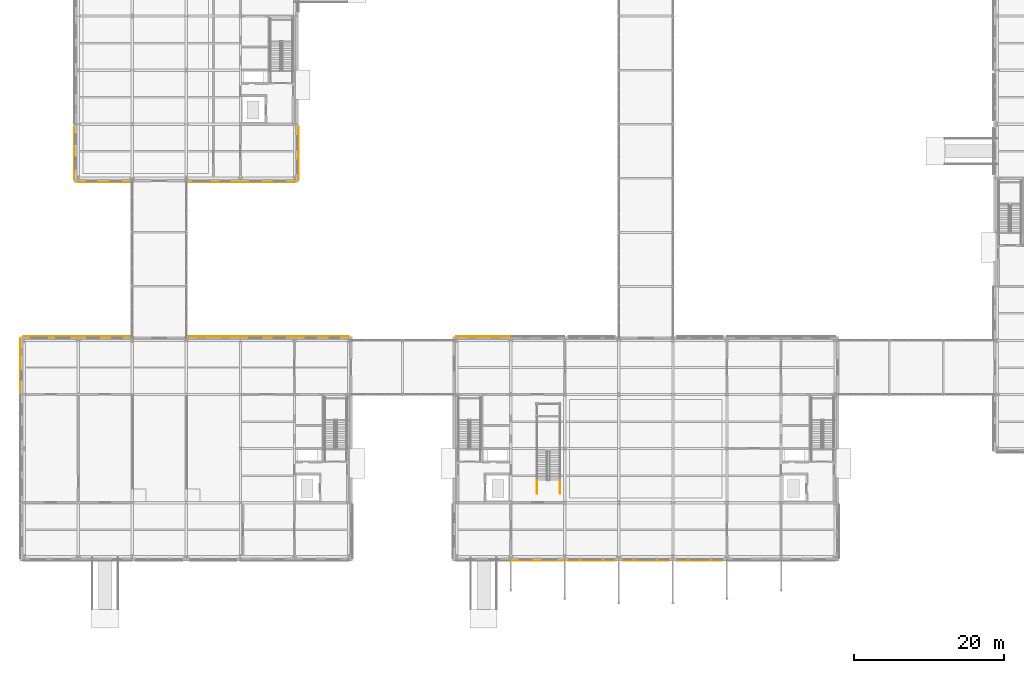
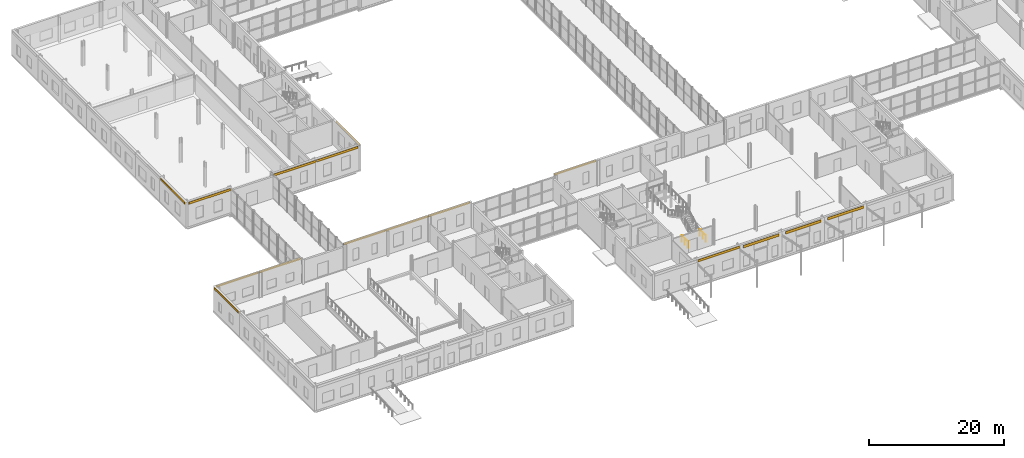
# One storey, part 76 of 92: 16 coverings, 2 railings.
"""IFC4 building model written with IfcOpenShell, lengths in metres."""

from ifc_helpers import new_model, si_unit, direction, frame, origin, origin_2d, place, context, subcontext, project, spatial, rectangle, circle, extrude, material, layer, layer_set, type_object, element, save


model = new_model("IFC4")

# Units and contexts
model_context = context("Model", 3, precision=1e-05, world=origin(), true_north=direction((0.0, 1.0)))
body_context = subcontext(model_context, "Body", "Model", "MODEL_VIEW")
ifc_project = project(units=[si_unit("LENGTHUNIT", "METRE"), si_unit("AREAUNIT", "SQUARE_METRE"), si_unit("VOLUMEUNIT", "CUBIC_METRE"), si_unit("PLANEANGLEUNIT", "RADIAN"), si_unit("MASSUNIT", "GRAM", prefix="KILO")], contexts=[model_context])

# Site, building, storey
site_placement = place(None, origin())
site = spatial("IfcSite", under=ifc_project, at=site_placement, CompositionType="ELEMENT")
building_placement = place(site_placement, origin())
building = spatial("IfcBuilding", under=site, at=building_placement, Name="Zlatovets Crest Museum", CompositionType="ELEMENT")
storey_placement = place(building_placement, origin())
storey = spatial("IfcBuildingStorey", under=building, at=storey_placement, Name="L00", CompositionType="ELEMENT", Elevation=0.0)

# Railings
ifc_material_1 = material(Name="Art Nouveau bronze and laminated glass atrium balustrade", Category="glass")
railing_type = type_object("IfcRailingType", Name="AtriumGuard_AG01", PredefinedType="BALUSTRADE", material=ifc_material_1)
for number, where, name in (
    (1, (71.35009765625, 8.39990234375, 0.0), "L00 ST6 stair guard 8"),
    (2, (68.300048828125, 8.39990234375, 0.0), "L00 ST6 stair guard 9"),
):
    element("IfcRailing", number, at=place(storey_placement, frame(where)), inside=storey, type_object=railing_type, Name=name, PredefinedType="BALUSTRADE", context=body_context, shape_type="SweptSolid", body=[
        extrude(circle(Radius=0.02392578125, at=origin_2d()), frame((0.0, 0.0, 1.076171875), z_axis=(0.0, 1.0, 0.0), x_axis=(-1.0, 0.0, 0.0)), (0.0, 0.0, 1.0), 1.800048828125),
        extrude(circle(Radius=0.02099609375, at=origin_2d()), origin(), (0.0, 0.0, 1.0), 1.052001953125),
        extrude(circle(Radius=0.02099609375, at=origin_2d()), frame((0.0, 0.89990234375, 0.0)), (0.0, 0.0, 1.0), 1.052001953125),
        extrude(circle(Radius=0.02099609375, at=origin_2d()), frame((0.0, 1.800048828125, 0.0)), (0.0, 0.0, 1.0), 1.052001953125),
    ])

# Coverings
ifc_material_2 = material(Name="Polychrome turquoise-gold glazed majolica ceramic frieze")
ifc_layer = layer(ifc_material_2, 0.0400390625)
ifc_layer_set = layer_set([ifc_layer], Name="Polychrome turquoise-gold glazed majolica ceramic frieze")
covering_type = type_object("IfcCoveringType", Name="MajolicaFrieze_CL01", PredefinedType="CLADDING", material=ifc_layer_set)
covering_placement = place(storey_placement, frame((68.39990234375, -0.530029296875, 4.010009765625), z_axis=(0.0, 0.0, 1.0), x_axis=(1.0, 0.0, 0.0)))
element("IfcCovering", 3, at=covering_placement, inside=storey, type_object=covering_type, Name="Sofia Secession Majolica Plinth Frieze", PredefinedType="CLADDING", context=body_context, shape_type="SweptSolid", body=[
    extrude(rectangle(XDim=7.10009765625, YDim=0.0400390625, at=origin_2d()), origin(), (0.0, 0.0, 1.0), 0.419921875),
])
for number, where, z_axis, x_axis, name in (
    (4, (75.60009765625, -0.52001953125, 3.81005859375), (0.0, 0.0, 1.0), (1.0, 0.0, 0.0), "Art Nouveau Portal Secession Archivolt Crown"),
    (5, (82.800048828125, -0.52001953125, 3.81005859375), (0.0, 0.0, 1.0), (1.0, 0.0, 0.0), "Art Nouveau Portal Secession Archivolt Crown"),
    (6, (90.0, -0.52001953125, 3.81005859375), (0.0, 0.0, 1.0), (1.0, 0.0, 0.0), "Art Nouveau Portal Secession Archivolt Crown"),
):
    element("IfcCovering", number, at=place(storey_placement, frame(where, z_axis=z_axis, x_axis=x_axis)), inside=storey, type_object=covering_type, Name=name, PredefinedType="CLADDING", context=body_context, shape_type="SweptSolid", body=[
        extrude(rectangle(XDim=6.10009765625, YDim=0.06005859375, at=origin_2d()), origin(), (0.0, 0.0, 1.0), 0.47998046875),
    ])
for number, where, z_axis, x_axis, name in (
    (7, (61.117431640625, 29.330078125, 4.010009765625), (0.0, 0.0, 1.0), (1.0, 0.0, 0.0), "Sofia Secession Majolica Plinth Frieze"),
    (8, (39.6826171875, 29.330078125, 4.010009765625), (0.0, 0.0, 1.0), (1.0, 0.0, 0.0), "Sofia Secession Majolica Plinth Frieze"),
    (9, (32.39990234375, 29.330078125, 4.010009765625), (0.0, 0.0, 1.0), (1.0, 0.0, 0.0), "Sofia Secession Majolica Plinth Frieze"),
    (10, (25.199951171875, 29.330078125, 4.010009765625), (0.0, 0.0, 1.0), (1.0, 0.0, 0.0), "Sofia Secession Majolica Plinth Frieze"),
    (11, (10.800048828125, 29.330078125, 4.010009765625), (0.0, 0.0, 1.0), (1.0, 0.0, 0.0), "Sofia Secession Majolica Plinth Frieze"),
    (12, (3.517578125, 29.330078125, 4.010009765625), (0.0, 0.0, 1.0), (1.0, 0.0, 0.0), "Sofia Secession Majolica Plinth Frieze"),
    (13, (-0.530029296875, 25.45751953125, 4.010009765625), (0.0, 0.0, 1.0), (0.0, 1.0, 0.0), "Sofia Secession Majolica Plinth Frieze"),
    (14, (10.717529296875, 49.8701171875, 4.010009765625), (0.0, 0.0, 1.0), (1.0, 0.0, 0.0), "Sofia Secession Majolica Plinth Frieze"),
    (15, (25.199951171875, 49.8701171875, 4.010009765625), (0.0, 0.0, 1.0), (1.0, 0.0, 0.0), "Sofia Secession Majolica Plinth Frieze"),
    (16, (32.482421875, 49.8701171875, 4.010009765625), (0.0, 0.0, 1.0), (1.0, 0.0, 0.0), "Sofia Secession Majolica Plinth Frieze"),
    (17, (36.530029296875, 53.742431640625, 4.010009765625), (0.0, 0.0, 1.0), (0.0, 1.0, 0.0), "Sofia Secession Majolica Plinth Frieze"),
    (18, (6.669921875, 53.742431640625, 4.010009765625), (0.0, 0.0, 1.0), (0.0, 1.0, 0.0), "Sofia Secession Majolica Plinth Frieze"),
):
    element("IfcCovering", number, at=place(storey_placement, frame(where, z_axis=z_axis, x_axis=x_axis)), inside=storey, type_object=covering_type, Name=name, PredefinedType="CLADDING", context=body_context, shape_type="SweptSolid", body=[
        extrude(rectangle(XDim=7.10009765625, YDim=0.0400390625, at=origin_2d()), origin(), (0.0, 0.0, 1.0), 0.419921875),
    ])

save(model, "model.ifc")
